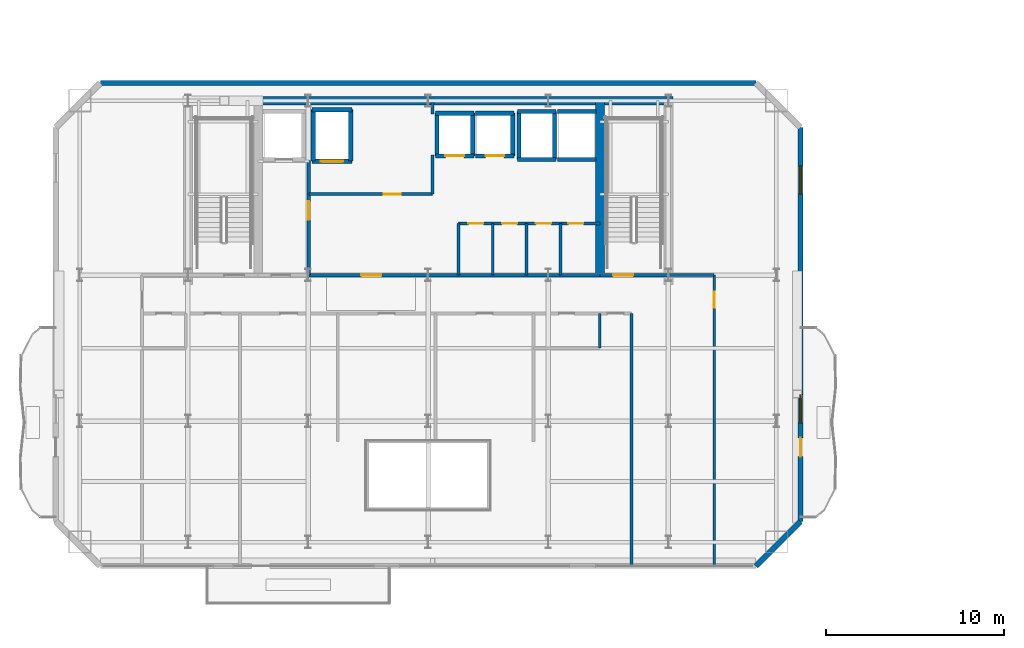
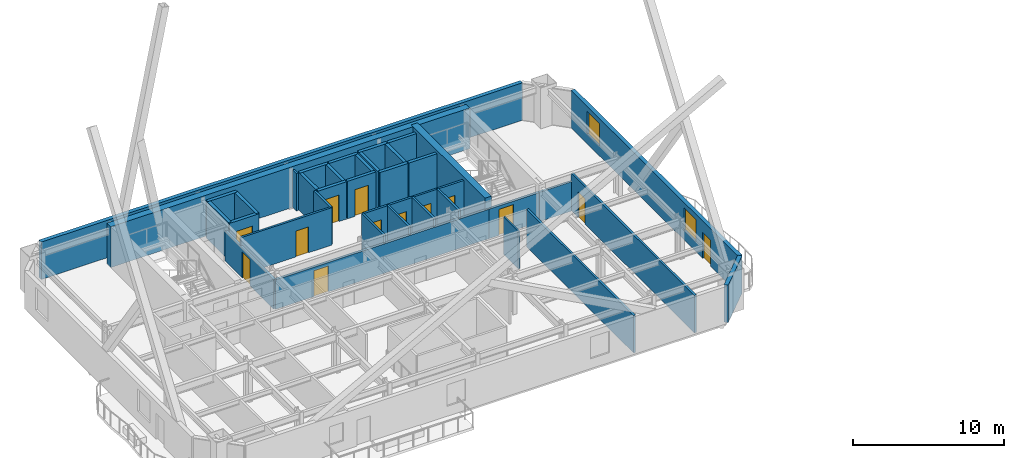
# One storey, part 11 of 19: 37 walls, 13 doors, 2 windows, 15 openings.
"""IFC4 building model written with IfcOpenShell, lengths in metres."""

from ifc_helpers import new_model, si_unit, direction, frame, frame_2d, origin, place, context, subcontext, project, spatial, rectangle, extrude, material, layer, layer_set, type_object, element, fill, save


model = new_model("IFC4")

# Units and contexts
model_context = context("Model", 3, precision=1e-05, world=origin(), true_north=direction((0.0, 1.0)))
body_context = subcontext(model_context, "Body", "Model", "MODEL_VIEW")
ifc_project = project(units=[si_unit("LENGTHUNIT", "METRE"), si_unit("AREAUNIT", "SQUARE_METRE"), si_unit("VOLUMEUNIT", "CUBIC_METRE"), si_unit("PLANEANGLEUNIT", "RADIAN"), si_unit("MASSUNIT", "GRAM", prefix="KILO")], contexts=[model_context])

# Site, building, storey
site_placement = place(None, origin())
site = spatial("IfcSite", under=ifc_project, at=site_placement, CompositionType="ELEMENT")
building_placement = place(site_placement, origin())
building = spatial("IfcBuilding", under=site, at=building_placement, Name="Haevon Station Towers", CompositionType="ELEMENT")
storey_placement = place(building_placement, frame((0.0, 0.0, 156.0)))
storey = spatial("IfcBuildingStorey", under=building, at=storey_placement, Name="L42", CompositionType="ELEMENT", Elevation=156.0)

# Wall, opening, door
ifc_material_1 = material(Name="Gypsum board on steel stud", Category="steel")
ifc_layer_1 = layer(ifc_material_1, 0.199951171875)
ifc_layer_set_1 = layer_set([ifc_layer_1], Name="Gypsum board on steel stud")
wall_type_1 = type_object("IfcWallType", Name="WL-COR200", PredefinedType="PARTITIONING", material=ifc_layer_set_1)
wall_1_placement = place(storey_placement, frame((47.14990234375, 38.199951171875, 0.0), z_axis=(0.0, 0.0, 1.0), x_axis=(1.0, 0.0, 0.0)))
wall_1 = element("IfcWall", 1, at=wall_1_placement, inside=storey, type_object=wall_type_1, Name="WL-ST-ST2-L42", PredefinedType="PARTITIONING", context=body_context, shape_type="SweptSolid", body=[
    extrude(rectangle(XDim=3.85009765625, YDim=0.199951171875, at=frame_2d((1.925048828125, 0.0))), origin(), (0.0, 0.0, 1.0), 2.3798828125),
])
opening_1_placement = place(wall_1_placement, frame((0.75, 0.0, 0.0)))
opening_1 = element("IfcOpeningElement", 2, at=opening_1_placement, cuts=wall_1, Name="Opening DR-ST-ST2-L42", PredefinedType="OPENING", context=body_context, shape_type="SweptSolid", body=[
    extrude(rectangle(XDim=1.1201171875, YDim=2.10009765625, at=frame_2d((0.56005859375, 1.050048828125))), frame((0.0, 0.10986328125, 0.0), z_axis=(0.0, -1.0, 0.0), x_axis=(1.0, 0.0, 0.0)), (0.0, 0.0, 1.0), 0.219970703125),
])
ifc_material_2 = material(Name="Engineered oak timber", Category="wood")
door_type_1 = type_object("IfcDoorType", Name="DR-ST-1120", OperationType="NOTDEFINED", PredefinedType="DOOR", material=ifc_material_2)
door_1_placement = place(opening_1_placement, origin())
door_1 = element("IfcDoor", 3, at=door_1_placement, inside=storey, type_object=door_type_1, Name="L42 Escape Stair ST2 Fire Door", OperationType="SINGLE_SWING_RIGHT", OverallHeight=2.10009765625, OverallWidth=1.1201171875, PredefinedType="DOOR", context=body_context, shape_type="SweptSolid", body=[
    extrude(rectangle(XDim=1.1201171875, YDim=2.10009765625, at=frame_2d((0.56005859375, 1.050048828125))), frame((0.0, 0.02490234375, 0.0), z_axis=(0.0, -1.0, 0.0), x_axis=(1.0, 0.0, 0.0)), (0.0, 0.0, 1.0), 0.050048828125),
])
fill(opening_1, door_1)

wall_2_placement = place(storey_placement, frame((30.800048828125, 38.199951171875, 0.0), z_axis=(0.0, 0.0, 1.0), x_axis=(0.0, 1.0, 0.0)))
wall_2 = element("IfcWall", 4, at=wall_2_placement, inside=storey, type_object=wall_type_1, Name="WL-T1FFL-L42-E", PredefinedType="PARTITIONING", context=body_context, shape_type="SweptSolid", body=[
    extrude(rectangle(XDim=6.449951171875, YDim=0.199951171875, at=frame_2d((3.22509765625, 0.0))), origin(), (0.0, 0.0, 1.0), 2.3798828125),
])
opening_2_placement = place(wall_2_placement, frame((3.10009765625, 0.0, 0.0)))
opening_2 = element("IfcOpeningElement", 5, at=opening_2_placement, cuts=wall_2, Name="Opening DR-T1FFL-L42-E", PredefinedType="OPENING", context=body_context, shape_type="SweptSolid", body=[
    extrude(rectangle(XDim=1.050048828125, YDim=2.10009765625, at=frame_2d((0.52490234375, 1.050048828125))), frame((0.0, 0.10986328125, 0.0), z_axis=(0.0, -1.0, 0.0), x_axis=(1.0, 0.0, 0.0)), (0.0, 0.0, 1.0), 0.219970703125),
])
door_type_2 = type_object("IfcDoorType", Name="DR-FD60-1050", OperationType="NOTDEFINED", PredefinedType="DOOR", material=ifc_material_2)
door_2_placement = place(opening_2_placement, origin())
door_2 = element("IfcDoor", 6, at=door_2_placement, inside=storey, type_object=door_type_2, Name="L42 Tower 1 Firefighting Lift Lobby Door E", OperationType="SINGLE_SWING_LEFT", OverallHeight=2.10009765625, OverallWidth=1.050048828125, PredefinedType="DOOR", context=body_context, shape_type="SweptSolid", body=[
    extrude(rectangle(XDim=1.050048828125, YDim=2.10009765625, at=frame_2d((0.52490234375, 1.050048828125))), frame((0.0, 0.02490234375, 0.0), z_axis=(0.0, -1.0, 0.0), x_axis=(1.0, 0.0, 0.0)), (0.0, 0.0, 1.0), 0.050048828125),
])
fill(opening_2, door_2)

wall_3_placement = place(storey_placement, frame((30.800048828125, 38.199951171875, 0.0), z_axis=(0.0, 0.0, 1.0), x_axis=(1.0, 0.0, 0.0)))
wall_3 = element("IfcWall", 7, at=wall_3_placement, inside=storey, type_object=wall_type_1, Name="WL-T1CLB-L42", PredefinedType="PARTITIONING", context=body_context, shape_type="SweptSolid", body=[
    extrude(rectangle(XDim=16.349853515625, YDim=0.199951171875, at=frame_2d((8.1748046875, 0.0))), origin(), (0.0, 0.0, 1.0), 2.3798828125),
])
opening_3_placement = place(wall_3_placement, frame((2.949951171875, 0.0, 0.0)))
opening_3 = element("IfcOpeningElement", 8, at=opening_3_placement, cuts=wall_3, Name="Opening DR-T1CLB-L42-1", PredefinedType="OPENING", context=body_context, shape_type="SweptSolid", body=[
    extrude(rectangle(XDim=1.1201171875, YDim=2.10009765625, at=frame_2d((0.56005859375, 1.050048828125))), frame((0.0, 0.10986328125, 0.0), z_axis=(0.0, -1.0, 0.0), x_axis=(1.0, 0.0, 0.0)), (0.0, 0.0, 1.0), 0.219970703125),
])
door_3_placement = place(opening_3_placement, origin())
door_3 = element("IfcDoor", 9, at=door_3_placement, inside=storey, type_object=door_type_1, Name="L42 Tower 1 Core Lift Lobby Door 1", OperationType="SINGLE_SWING_LEFT", OverallHeight=2.10009765625, OverallWidth=1.1201171875, PredefinedType="DOOR", context=body_context, shape_type="SweptSolid", body=[
    extrude(rectangle(XDim=1.1201171875, YDim=2.10009765625, at=frame_2d((0.56005859375, 1.050048828125))), frame((0.0, 0.02490234375, 0.0), z_axis=(0.0, -1.0, 0.0), x_axis=(1.0, 0.0, 0.0)), (0.0, 0.0, 1.0), 0.050048828125),
])
fill(opening_3, door_3)

# Walls
ifc_material_3 = material(Name="Concrete C60/75", Category="concrete")
ifc_layer_2 = layer(ifc_material_3, 0.5)
ifc_layer_set_2 = layer_set([ifc_layer_2], Name="Concrete C60/75")
wall_type_2 = type_object("IfcWallType", Name="WL-CR500", PredefinedType="SHEAR", material=ifc_layer_set_2)
wall_4_placement = place(storey_placement, frame((23.75, 48.0, 0.0), z_axis=(0.0, 0.0, 1.0), x_axis=(1.0, 0.0, 0.0)))
element("IfcWall", 10, at=wall_4_placement, inside=storey, type_object=wall_type_2, Name="WL-T1CR-L42-N", PredefinedType="SHEAR", context=body_context, shape_type="SweptSolid", body=[
    extrude(rectangle(XDim=27.5, YDim=0.5, at=frame_2d((13.75, 0.0))), origin(), (0.0, 0.0, 1.0), 3.300048828125),
])
wall_5_placement = place(storey_placement, frame((47.14990234375, 38.199951171875, 0.0), z_axis=(0.0, 0.0, 1.0), x_axis=(0.0, 1.0, 0.0)))
element("IfcWall", 11, at=wall_5_placement, inside=storey, type_object=wall_type_2, Name="WL-T1CR-L42-M2", PredefinedType="SHEAR", context=body_context, shape_type="SweptSolid", body=[
    extrude(rectangle(XDim=9.800048828125, YDim=0.5, at=frame_2d((4.89990234375, 0.0))), origin(), (0.0, 0.0, 1.0), 3.300048828125),
])
ifc_material_4 = material(Name="Precast concrete C45/55", Category="concrete")
ifc_layer_3 = layer(ifc_material_4, 0.300048828125)
ifc_layer_set_3 = layer_set([ifc_layer_3], Name="Precast concrete C45/55")
wall_type_3 = type_object("IfcWallType", Name="WL-EXT-PIER300", PredefinedType="SOLIDWALL", material=ifc_layer_set_3)
wall_6_placement = place(storey_placement, frame((19.074951171875, 49.0, 0.0), z_axis=(0.0, 0.0, 1.0), x_axis=(1.0, 0.0, 0.0)))
element("IfcWall", 12, at=wall_6_placement, inside=storey, type_object=wall_type_3, Name="WL-T1-L42-N", PredefinedType="SOLIDWALL", context=body_context, shape_type="SweptSolid", body=[
    extrude(rectangle(XDim=36.85009765625, YDim=0.300048828125, at=frame_2d((18.425048828125, 0.0))), origin(), (0.0, 0.0, 1.0), 3.030029296875),
])

# Wall, openings, door, windows
wall_7_placement = place(storey_placement, frame((58.425048828125, 46.5, 0.0), z_axis=(0.0, 0.0, 1.0), x_axis=(0.0, -1.0, 0.0)))
wall_7 = element("IfcWall", 13, at=wall_7_placement, inside=storey, type_object=wall_type_3, Name="WL-T1-L42-E", PredefinedType="SOLIDWALL", context=body_context, shape_type="SweptSolid", body=[
    extrude(rectangle(XDim=22.14990234375, YDim=0.300048828125, at=frame_2d((11.074951171875, 0.0))), origin(), (0.0, 0.0, 1.0), 3.030029296875),
])
opening_4_placement = place(wall_7_placement, frame((17.449951171875, 0.0, 0.0)))
opening_4 = element("IfcOpeningElement", 14, at=opening_4_placement, cuts=wall_7, Name="Opening DR-T1-SCAL-L42-E", PredefinedType="OPENING", context=body_context, shape_type="SweptSolid", body=[
    extrude(rectangle(XDim=1.050048828125, YDim=2.10009765625, at=frame_2d((0.52490234375, 1.050048828125))), frame((0.0, 0.159912109375, 0.0), z_axis=(0.0, -1.0, 0.0), x_axis=(1.0, 0.0, 0.0)), (0.0, 0.0, 1.0), 0.320068359375),
])
opening_5_placement = place(wall_7_placement, frame((2.153564453125, 0.0, 0.800048828125)))
opening_5 = element("IfcOpeningElement", 15, at=opening_5_placement, cuts=wall_7, Name="Opening WN-END160", PredefinedType="OPENING", context=body_context, shape_type="SweptSolid", body=[
    extrude(rectangle(XDim=1.60009765625, YDim=1.800048828125, at=frame_2d((0.800048828125, 0.89990234375))), frame((0.0, 0.159912109375, 0.0), z_axis=(0.0, -1.0, 0.0), x_axis=(1.0, 0.0, 0.0)), (0.0, 0.0, 1.0), 0.320068359375),
])
opening_6_placement = place(wall_7_placement, frame((15.012451171875, 0.0, 0.800048828125)))
opening_6 = element("IfcOpeningElement", 16, at=opening_6_placement, cuts=wall_7, Name="Opening WN-END160", PredefinedType="OPENING", context=body_context, shape_type="SweptSolid", body=[
    extrude(rectangle(XDim=1.60009765625, YDim=1.800048828125, at=frame_2d((0.800048828125, 0.89990234375))), frame((0.0, 0.159912109375, 0.0), z_axis=(0.0, -1.0, 0.0), x_axis=(1.0, 0.0, 0.0)), (0.0, 0.0, 1.0), 0.320068359375),
])
ifc_material_5 = material(Name="Thermally broken anodised aluminium and laminated safety glass", Category="aluminium")
door_type_3 = type_object("IfcDoorType", Name="DR-BALC-1050", OperationType="NOTDEFINED", PredefinedType="DOOR", material=ifc_material_5)
door_4_placement = place(opening_4_placement, origin())
door_4 = element("IfcDoor", 17, at=door_4_placement, inside=storey, type_object=door_type_3, Name="Tower 1 L42 East Scalloped Balcony Door", OperationType="SINGLE_SWING_RIGHT", OverallHeight=2.10009765625, OverallWidth=1.050048828125, PredefinedType="DOOR", context=body_context, shape_type="SweptSolid", body=[
    extrude(rectangle(XDim=1.050048828125, YDim=2.10009765625, at=frame_2d((0.52490234375, 1.050048828125))), frame((0.0, 0.02490234375, 0.0), z_axis=(0.0, -1.0, 0.0), x_axis=(1.0, 0.0, 0.0)), (0.0, 0.0, 1.0), 0.050048828125),
])
fill(opening_4, door_4)
ifc_material_6 = material(Name="Low-E triple glazing in thermally broken aluminium", Category="aluminium")
window_type = type_object("IfcWindowType", Name="WN-END160", PartitioningType="SINGLE_PANEL", PredefinedType="WINDOW", material=ifc_material_6)
window_1_placement = place(opening_5_placement, origin())
window_1 = element("IfcWindow", 18, at=window_1_placement, inside=storey, type_object=window_type, Name="WN-T1-L42-E01", OverallHeight=1.800048828125, OverallWidth=1.60009765625, PartitioningType="SINGLE_PANEL", PredefinedType="WINDOW", context=body_context, shape_type="SweptSolid", body=[
    extrude(rectangle(XDim=1.60009765625, YDim=1.800048828125, at=frame_2d((0.800048828125, 0.89990234375))), frame((0.0, 0.030029296875, 0.0), z_axis=(0.0, -1.0, 0.0), x_axis=(1.0, 0.0, 0.0)), (0.0, 0.0, 1.0), 0.06005859375),
])
fill(opening_5, window_1)
window_2_placement = place(opening_6_placement, origin())
window_2 = element("IfcWindow", 19, at=window_2_placement, inside=storey, type_object=window_type, Name="WN-T1-L42-E02", OverallHeight=1.800048828125, OverallWidth=1.60009765625, PartitioningType="SINGLE_PANEL", PredefinedType="WINDOW", context=body_context, shape_type="SweptSolid", body=[
    extrude(rectangle(XDim=1.60009765625, YDim=1.800048828125, at=frame_2d((0.800048828125, 0.89990234375))), frame((0.0, 0.030029296875, 0.0), z_axis=(0.0, -1.0, 0.0), x_axis=(1.0, 0.0, 0.0)), (0.0, 0.0, 1.0), 0.06005859375),
])
fill(opening_6, window_2)

# Walls
wall_8_placement = place(storey_placement, frame((58.425048828125, 24.35009765625, 0.0), z_axis=(0.0, 0.0, 1.0), x_axis=(-0.707106781187, -0.707106781187, 0.0)))
element("IfcWall", 20, at=wall_8_placement, inside=storey, type_object=wall_type_3, Name="WL-T1-L42-SEC", PredefinedType="SOLIDWALL", context=body_context, shape_type="SweptSolid", body=[
    extrude(rectangle(XDim=3.53564453125, YDim=0.300048828125, at=frame_2d((1.767822265625, 0.0))), origin(), (0.0, 0.0, 1.0), 3.030029296875),
])
ifc_layer_4 = layer(ifc_material_1, 0.125)
ifc_layer_set_4 = layer_set([ifc_layer_4], Name="Gypsum board on steel stud")
wall_type_4 = type_object("IfcWallType", Name="WL-PRT125", PredefinedType="PARTITIONING", material=ifc_layer_set_4)
wall_9_placement = place(storey_placement, frame((47.139892578125, 34.10009765625, 0.0), z_axis=(0.0, 0.0, 1.0), x_axis=(0.0, 1.0, 0.0)))
element("IfcWall", 21, at=wall_9_placement, inside=storey, type_object=wall_type_4, Name="WL-T1PT-L42-19", PredefinedType="PARTITIONING", context=body_context, shape_type="SweptSolid", body=[
    extrude(rectangle(XDim=1.949951171875, YDim=0.125, at=frame_2d((0.97509765625, 0.0))), origin(), (0.0, 0.0, 1.0), 3.030029296875),
])

# Wall, opening, door
ifc_layer_5 = layer(ifc_material_1, 0.159912109375)
ifc_layer_set_5 = layer_set([ifc_layer_5], Name="Gypsum board on steel stud")
wall_type_5 = type_object("IfcWallType", Name="WL-PRT160", PredefinedType="PARTITIONING", material=ifc_layer_set_5)
wall_10_placement = place(storey_placement, frame((30.800048828125, 42.75, 0.0), z_axis=(0.0, 0.0, 1.0), x_axis=(1.0, 0.0, 0.0)))
wall_10 = element("IfcWall", 22, at=wall_10_placement, inside=storey, type_object=wall_type_5, Name="WL-T1CW-L42-01", PredefinedType="PARTITIONING", context=body_context, shape_type="SweptSolid", body=[
    extrude(rectangle(XDim=6.949951171875, YDim=0.159912109375, at=frame_2d((3.47509765625, 0.0))), origin(), (0.0, 0.0, 1.0), 3.030029296875),
])
opening_7_placement = place(wall_10_placement, frame((4.199951171875, 0.0, 0.0)))
opening_7 = element("IfcOpeningElement", 23, at=opening_7_placement, cuts=wall_10, Name="Opening DR-WL-T1CW-L42-01-1", PredefinedType="OPENING", context=body_context, shape_type="SweptSolid", body=[
    extrude(rectangle(XDim=0.949951171875, YDim=2.10009765625, at=frame_2d((0.47509765625, 1.050048828125))), frame((0.0, 0.08984375, 0.0), z_axis=(0.0, -1.0, 0.0), x_axis=(1.0, 0.0, 0.0)), (0.0, 0.0, 1.0), 0.179931640625),
])
door_type_4 = type_object("IfcDoorType", Name="DR-FD60-950", OperationType="NOTDEFINED", PredefinedType="DOOR", material=ifc_material_2)
door_5_placement = place(opening_7_placement, origin())
door_5 = element("IfcDoor", 24, at=door_5_placement, inside=storey, type_object=door_type_4, Name="L42 Tower 1 Core Room Door 1-1", OperationType="SINGLE_SWING_LEFT", OverallHeight=2.10009765625, OverallWidth=0.949951171875, PredefinedType="DOOR", context=body_context, shape_type="SweptSolid", body=[
    extrude(rectangle(XDim=0.949951171875, YDim=2.10009765625, at=frame_2d((0.47509765625, 1.050048828125))), frame((0.0, 0.02490234375, 0.0), z_axis=(0.0, -1.0, 0.0), x_axis=(1.0, 0.0, 0.0)), (0.0, 0.0, 1.0), 0.050048828125),
])
fill(opening_7, door_5)

# Walls
wall_11_placement = place(storey_placement, frame((37.75, 42.75, 0.0), z_axis=(0.0, 0.0, 1.0), x_axis=(0.0, 1.0, 0.0)))
element("IfcWall", 25, at=wall_11_placement, inside=storey, type_object=wall_type_5, Name="WL-T1CW-L42-02", PredefinedType="PARTITIONING", context=body_context, shape_type="SweptSolid", body=[
    extrude(rectangle(XDim=2.199951171875, YDim=0.159912109375, at=frame_2d((1.10009765625, 0.0))), origin(), (0.0, 0.0, 1.0), 3.030029296875),
])
wall_12_placement = place(storey_placement, frame((37.75, 47.25, 0.0), z_axis=(0.0, 0.0, 1.0), x_axis=(0.0, 1.0, 0.0)))
element("IfcWall", 26, at=wall_12_placement, inside=storey, type_object=wall_type_5, Name="WL-T1CW-L42-03", PredefinedType="PARTITIONING", context=body_context, shape_type="SweptSolid", body=[
    extrude(rectangle(XDim=0.64990234375, YDim=0.159912109375, at=frame_2d((0.324951171875, 0.0))), origin(), (0.0, 0.0, 1.0), 3.030029296875),
])
for number, where, z_axis, x_axis, name in (
    (27, (39.199951171875, 38.199951171875, 0.0), (0.0, 0.0, 1.0), (0.0, 1.0, 0.0), "WL-T1CW-L42-04"),
    (28, (41.1298828125, 38.199951171875, 0.0), (0.0, 0.0, 1.0), (0.0, 1.0, 0.0), "WL-T1CW-L42-05"),
    (29, (43.030029296875, 38.199951171875, 0.0), (0.0, 0.0, 1.0), (0.0, 1.0, 0.0), "WL-T1CW-L42-06"),
    (30, (44.929931640625, 38.199951171875, 0.0), (0.0, 0.0, 1.0), (0.0, 1.0, 0.0), "WL-T1CW-L42-07"),
):
    element("IfcWall", number, at=place(storey_placement, frame(where, z_axis=z_axis, x_axis=x_axis)), inside=storey, type_object=wall_type_5, Name=name, PredefinedType="PARTITIONING", context=body_context, shape_type="SweptSolid", body=[
        extrude(rectangle(XDim=2.900146484375, YDim=0.159912109375, at=frame_2d((1.4501953125, 0.0))), origin(), (0.0, 0.0, 1.0), 3.030029296875),
    ])

# Wall, openings, doors
wall_13_placement = place(storey_placement, frame((39.199951171875, 41.10009765625, 0.0), z_axis=(0.0, 0.0, 1.0), x_axis=(1.0, 0.0, 0.0)))
wall_13 = element("IfcWall", 31, at=wall_13_placement, inside=storey, type_object=wall_type_5, Name="WL-T1CW-L42-08", PredefinedType="PARTITIONING", context=body_context, shape_type="SweptSolid", body=[
    extrude(rectangle(XDim=7.949951171875, YDim=0.159912109375, at=frame_2d((3.97509765625, 0.0))), origin(), (0.0, 0.0, 1.0), 3.030029296875),
])
opening_8_placement = place(wall_13_placement, frame((0.56005859375, 0.0, 0.0)))
opening_8 = element("IfcOpeningElement", 32, at=opening_8_placement, cuts=wall_13, Name="Opening DR-WL-T1CW-L42-08-1", PredefinedType="OPENING", context=body_context, shape_type="SweptSolid", body=[
    extrude(rectangle(XDim=0.85009765625, YDim=2.050048828125, at=frame_2d((0.425048828125, 1.02490234375))), frame((0.0, 0.08984375, 0.0), z_axis=(0.0, -1.0, 0.0), x_axis=(1.0, 0.0, 0.0)), (0.0, 0.0, 1.0), 0.179931640625),
])
opening_9_placement = place(wall_13_placement, frame((2.455078125, 0.0, 0.0)))
opening_9 = element("IfcOpeningElement", 33, at=opening_9_placement, cuts=wall_13, Name="Opening DR-WL-T1CW-L42-08-2", PredefinedType="OPENING", context=body_context, shape_type="SweptSolid", body=[
    extrude(rectangle(XDim=0.85009765625, YDim=2.050048828125, at=frame_2d((0.425048828125, 1.02490234375))), frame((0.0, 0.08984375, 0.0), z_axis=(0.0, -1.0, 0.0), x_axis=(1.0, 0.0, 0.0)), (0.0, 0.0, 1.0), 0.179931640625),
])
opening_10_placement = place(wall_13_placement, frame((4.35498046875, 0.0, 0.0)))
opening_10 = element("IfcOpeningElement", 34, at=opening_10_placement, cuts=wall_13, Name="Opening DR-WL-T1CW-L42-08-3", PredefinedType="OPENING", context=body_context, shape_type="SweptSolid", body=[
    extrude(rectangle(XDim=0.85009765625, YDim=2.050048828125, at=frame_2d((0.425048828125, 1.02490234375))), frame((0.0, 0.08984375, 0.0), z_axis=(0.0, -1.0, 0.0), x_axis=(1.0, 0.0, 0.0)), (0.0, 0.0, 1.0), 0.179931640625),
])
opening_11_placement = place(wall_13_placement, frame((6.179931640625, 0.0, 0.0)))
opening_11 = element("IfcOpeningElement", 35, at=opening_11_placement, cuts=wall_13, Name="Opening DR-WL-T1CW-L42-08-4", PredefinedType="OPENING", context=body_context, shape_type="SweptSolid", body=[
    extrude(rectangle(XDim=0.85009765625, YDim=2.050048828125, at=frame_2d((0.425048828125, 1.02490234375))), frame((0.0, 0.08984375, 0.0), z_axis=(0.0, -1.0, 0.0), x_axis=(1.0, 0.0, 0.0)), (0.0, 0.0, 1.0), 0.179931640625),
])
door_type_5 = type_object("IfcDoorType", Name="DR-FD30-850", OperationType="NOTDEFINED", PredefinedType="DOOR", material=ifc_material_2)
door_6_placement = place(opening_8_placement, origin())
door_6 = element("IfcDoor", 36, at=door_6_placement, inside=storey, type_object=door_type_5, Name="L42 Tower 1 Core Room Door 8-1", OperationType="SINGLE_SWING_RIGHT", OverallHeight=2.050048828125, OverallWidth=0.85009765625, PredefinedType="DOOR", context=body_context, shape_type="SweptSolid", body=[
    extrude(rectangle(XDim=0.85009765625, YDim=2.050048828125, at=frame_2d((0.425048828125, 1.02490234375))), frame((0.0, 0.02490234375, 0.0), z_axis=(0.0, -1.0, 0.0), x_axis=(1.0, 0.0, 0.0)), (0.0, 0.0, 1.0), 0.050048828125),
])
fill(opening_8, door_6)
door_7_placement = place(opening_9_placement, origin())
door_7 = element("IfcDoor", 37, at=door_7_placement, inside=storey, type_object=door_type_5, Name="L42 Tower 1 Core Room Door 8-2", OperationType="SINGLE_SWING_LEFT", OverallHeight=2.050048828125, OverallWidth=0.85009765625, PredefinedType="DOOR", context=body_context, shape_type="SweptSolid", body=[
    extrude(rectangle(XDim=0.85009765625, YDim=2.050048828125, at=frame_2d((0.425048828125, 1.02490234375))), frame((0.0, 0.02490234375, 0.0), z_axis=(0.0, -1.0, 0.0), x_axis=(1.0, 0.0, 0.0)), (0.0, 0.0, 1.0), 0.050048828125),
])
fill(opening_9, door_7)
door_8_placement = place(opening_10_placement, origin())
door_8 = element("IfcDoor", 38, at=door_8_placement, inside=storey, type_object=door_type_5, Name="L42 Tower 1 Core Room Door 8-3", OperationType="SINGLE_SWING_RIGHT", OverallHeight=2.050048828125, OverallWidth=0.85009765625, PredefinedType="DOOR", context=body_context, shape_type="SweptSolid", body=[
    extrude(rectangle(XDim=0.85009765625, YDim=2.050048828125, at=frame_2d((0.425048828125, 1.02490234375))), frame((0.0, 0.02490234375, 0.0), z_axis=(0.0, -1.0, 0.0), x_axis=(1.0, 0.0, 0.0)), (0.0, 0.0, 1.0), 0.050048828125),
])
fill(opening_10, door_8)
door_9_placement = place(opening_11_placement, origin())
door_9 = element("IfcDoor", 39, at=door_9_placement, inside=storey, type_object=door_type_5, Name="L42 Tower 1 Core Room Door 8-4", OperationType="SINGLE_SWING_LEFT", OverallHeight=2.050048828125, OverallWidth=0.85009765625, PredefinedType="DOOR", context=body_context, shape_type="SweptSolid", body=[
    extrude(rectangle(XDim=0.85009765625, YDim=2.050048828125, at=frame_2d((0.425048828125, 1.02490234375))), frame((0.0, 0.02490234375, 0.0), z_axis=(0.0, -1.0, 0.0), x_axis=(1.0, 0.0, 0.0)), (0.0, 0.0, 1.0), 0.050048828125),
])
fill(opening_11, door_9)

# Walls
wall_14_placement = place(storey_placement, frame((48.919921875, 21.85009765625, 0.0), z_axis=(0.0, 0.0, 1.0), x_axis=(0.0, 1.0, 0.0)))
element("IfcWall", 40, at=wall_14_placement, inside=storey, type_object=wall_type_5, Name="WL-T1PT-L42-01", PredefinedType="PARTITIONING", context=body_context, shape_type="SweptSolid", body=[
    extrude(rectangle(XDim=14.199951171875, YDim=0.159912109375, at=frame_2d((7.10009765625, 0.0))), origin(), (0.0, 0.0, 1.0), 3.030029296875),
])
wall_15_placement = place(storey_placement, frame((51.0, 38.199951171875, 0.0), z_axis=(0.0, 0.0, 1.0), x_axis=(1.0, 0.0, 0.0)))
element("IfcWall", 41, at=wall_15_placement, inside=storey, type_object=wall_type_5, Name="WL-T1PT-L42-03", PredefinedType="PARTITIONING", context=body_context, shape_type="SweptSolid", body=[
    extrude(rectangle(XDim=2.574951171875, YDim=0.159912109375, at=frame_2d((1.28759765625, 0.0))), origin(), (0.0, 0.0, 1.0), 2.3798828125),
])

# Wall, opening, door
wall_16_placement = place(storey_placement, frame((53.574951171875, 21.85009765625, 0.0), z_axis=(0.0, 0.0, 1.0), x_axis=(0.0, 1.0, 0.0)))
wall_16 = element("IfcWall", 42, at=wall_16_placement, inside=storey, type_object=wall_type_5, Name="WL-T1PT-L42-05", PredefinedType="PARTITIONING", context=body_context, shape_type="SweptSolid", body=[
    extrude(rectangle(XDim=16.349853515625, YDim=0.159912109375, at=frame_2d((8.1748046875, 0.0))), origin(), (0.0, 0.0, 1.0), 3.030029296875),
])
opening_12_placement = place(wall_16_placement, frame((14.52001953125, 0.0, 0.0)))
opening_12 = element("IfcOpeningElement", 43, at=opening_12_placement, cuts=wall_16, Name="Opening DR-WL-T1PT-L42-05-01", PredefinedType="OPENING", context=body_context, shape_type="SweptSolid", body=[
    extrude(rectangle(XDim=0.89990234375, YDim=2.050048828125, at=frame_2d((0.449951171875, 1.02490234375))), frame((0.0, 0.08984375, 0.0), z_axis=(0.0, -1.0, 0.0), x_axis=(1.0, 0.0, 0.0)), (0.0, 0.0, 1.0), 0.179931640625),
])
door_type_6 = type_object("IfcDoorType", Name="DR-INT-900", OperationType="NOTDEFINED", PredefinedType="DOOR", material=ifc_material_2)
door_10_placement = place(opening_12_placement, origin())
door_10 = element("IfcDoor", 44, at=door_10_placement, inside=storey, type_object=door_type_6, Name="L42 Tower 1 Room Door 5-1", OperationType="SINGLE_SWING_LEFT", OverallHeight=2.050048828125, OverallWidth=0.89990234375, PredefinedType="DOOR", context=body_context, shape_type="SweptSolid", body=[
    extrude(rectangle(XDim=0.89990234375, YDim=2.050048828125, at=frame_2d((0.449951171875, 1.02490234375))), frame((0.0, 0.02490234375, 0.0), z_axis=(0.0, -1.0, 0.0), x_axis=(1.0, 0.0, 0.0)), (0.0, 0.0, 1.0), 0.050048828125),
])
fill(opening_12, door_10)

ifc_material_7 = material(Name="Concrete C40/50", Category="concrete")
ifc_layer_6 = layer(ifc_material_7, 0.239990234375)
ifc_layer_set_6 = layer_set([ifc_layer_6], Name="Concrete C40/50")
wall_type_6 = type_object("IfcWallType", Name="WL-SHF240", PredefinedType="PARTITIONING", material=ifc_layer_set_6)
wall_17_placement = place(storey_placement, frame((30.969970703125, 44.60009765625, 0.0), z_axis=(0.0, 0.0, 1.0), x_axis=(1.0, 0.0, 0.0)))
wall_17 = element("IfcWall", 45, at=wall_17_placement, inside=storey, type_object=wall_type_6, Name="WL-SHF-SL1-L42", PredefinedType="PARTITIONING", context=body_context, shape_type="SweptSolid", body=[
    extrude(rectangle(XDim=2.260009765625, YDim=0.239990234375, at=frame_2d((1.1298828125, 0.0))), origin(), (0.0, 0.0, 1.0), 3.030029296875),
])
opening_13_placement = place(wall_17_placement, frame((0.5048828125, 0.0, 0.0)))
opening_13 = element("IfcOpeningElement", 46, at=opening_13_placement, cuts=wall_17, Name="Opening LD-SL1-L42", PredefinedType="OPENING", context=body_context, shape_type="SweptSolid", body=[
    extrude(rectangle(XDim=1.25, YDim=2.199951171875, at=frame_2d((0.625, 1.10009765625))), frame((0.0, 0.1298828125, 0.0), z_axis=(0.0, -1.0, 0.0), x_axis=(1.0, 0.0, 0.0)), (0.0, 0.0, 1.0), 0.260009765625),
])
ifc_material_8 = material(Name="Stainless steel and rated core", Category="steel")
door_type_7 = type_object("IfcDoorType", Name="LD-SL1250", OperationType="SLIDING_TO_LEFT", PredefinedType="DOOR", material=ifc_material_8)
door_11_placement = place(opening_13_placement, origin())
door_11 = element("IfcDoor", 47, at=door_11_placement, inside=storey, type_object=door_type_7, Name="L42 Lift SL1 Sliding Landing Door", OperationType="SLIDING_TO_LEFT", OverallHeight=2.199951171875, OverallWidth=1.25, PredefinedType="DOOR", context=body_context, shape_type="SweptSolid", body=[
    extrude(rectangle(XDim=1.25, YDim=2.199951171875, at=frame_2d((0.625, 1.10009765625))), frame((0.0, 0.02490234375, 0.0), z_axis=(0.0, -1.0, 0.0), x_axis=(1.0, 0.0, 0.0)), (0.0, 0.0, 1.0), 0.050048828125),
])
fill(opening_13, door_11)

# Walls
wall_18_placement = place(storey_placement, frame((30.969970703125, 47.5, 0.0), z_axis=(0.0, 0.0, 1.0), x_axis=(1.0, 0.0, 0.0)))
element("IfcWall", 48, at=wall_18_placement, inside=storey, type_object=wall_type_6, Name="WL-SHF-SL1-L42-N", PredefinedType="PARTITIONING", context=body_context, shape_type="SweptSolid", body=[
    extrude(rectangle(XDim=2.260009765625, YDim=0.239990234375, at=frame_2d((1.1298828125, 0.0))), origin(), (0.0, 0.0, 1.0), 3.030029296875),
])
for number, where, z_axis, x_axis, name in (
    (49, (31.050048828125, 44.60009765625, 0.0), (0.0, 0.0, 1.0), (0.0, 1.0, 0.0), "WL-SHF-SL1-L42-W"),
    (50, (33.14990234375, 44.60009765625, 0.0), (0.0, 0.0, 1.0), (0.0, 1.0, 0.0), "WL-SHF-SL1-L42-E"),
):
    element("IfcWall", number, at=place(storey_placement, frame(where, z_axis=z_axis, x_axis=x_axis)), inside=storey, type_object=wall_type_6, Name=name, PredefinedType="PARTITIONING", context=body_context, shape_type="SweptSolid", body=[
        extrude(rectangle(XDim=2.89990234375, YDim=0.239990234375, at=frame_2d((1.449951171875, 0.0))), origin(), (0.0, 0.0, 1.0), 3.030029296875),
    ])

# Wall, opening, door
wall_19_placement = place(storey_placement, frame((37.919921875, 44.89990234375, 0.0), z_axis=(0.0, 0.0, 1.0), x_axis=(1.0, 0.0, 0.0)))
wall_19 = element("IfcWall", 51, at=wall_19_placement, inside=storey, type_object=wall_type_6, Name="WL-SHF-PL3-L42", PredefinedType="PARTITIONING", context=body_context, shape_type="SweptSolid", body=[
    extrude(rectangle(XDim=2.16015625, YDim=0.239990234375, at=frame_2d((1.080078125, 0.0))), origin(), (0.0, 0.0, 1.0), 3.030029296875),
])
opening_14_placement = place(wall_19_placement, frame((0.554931640625, 0.0, 0.0)))
opening_14 = element("IfcOpeningElement", 52, at=opening_14_placement, cuts=wall_19, Name="Opening LD-PL3-L42", PredefinedType="OPENING", context=body_context, shape_type="SweptSolid", body=[
    extrude(rectangle(XDim=1.050048828125, YDim=2.14990234375, at=frame_2d((0.52490234375, 1.074951171875))), frame((0.0, 0.1298828125, 0.0), z_axis=(0.0, -1.0, 0.0), x_axis=(1.0, 0.0, 0.0)), (0.0, 0.0, 1.0), 0.260009765625),
])
door_type_8 = type_object("IfcDoorType", Name="LD-PL1050", OperationType="SLIDING_TO_LEFT", PredefinedType="DOOR", material=ifc_material_8)
door_12_placement = place(opening_14_placement, origin())
door_12 = element("IfcDoor", 53, at=door_12_placement, inside=storey, type_object=door_type_8, Name="L42 Lift PL3 Sliding Landing Door", OperationType="SLIDING_TO_LEFT", OverallHeight=2.14990234375, OverallWidth=1.050048828125, PredefinedType="DOOR", context=body_context, shape_type="SweptSolid", body=[
    extrude(rectangle(XDim=1.050048828125, YDim=2.14990234375, at=frame_2d((0.52490234375, 1.074951171875))), frame((0.0, 0.02490234375, 0.0), z_axis=(0.0, -1.0, 0.0), x_axis=(1.0, 0.0, 0.0)), (0.0, 0.0, 1.0), 0.050048828125),
])
fill(opening_14, door_12)

# Walls
wall_20_placement = place(storey_placement, frame((37.919921875, 47.300048828125, 0.0), z_axis=(0.0, 0.0, 1.0), x_axis=(1.0, 0.0, 0.0)))
element("IfcWall", 54, at=wall_20_placement, inside=storey, type_object=wall_type_6, Name="WL-SHF-PL3-L42-N", PredefinedType="PARTITIONING", context=body_context, shape_type="SweptSolid", body=[
    extrude(rectangle(XDim=2.16015625, YDim=0.239990234375, at=frame_2d((1.080078125, 0.0))), origin(), (0.0, 0.0, 1.0), 3.030029296875),
])
for number, where, z_axis, x_axis, name in (
    (55, (38.0, 44.89990234375, 0.0), (0.0, 0.0, 1.0), (0.0, 1.0, 0.0), "WL-SHF-PL3-L42-W"),
    (56, (40.0, 44.89990234375, 0.0), (0.0, 0.0, 1.0), (0.0, 1.0, 0.0), "WL-SHF-PL3-L42-E"),
):
    element("IfcWall", number, at=place(storey_placement, frame(where, z_axis=z_axis, x_axis=x_axis)), inside=storey, type_object=wall_type_6, Name=name, PredefinedType="PARTITIONING", context=body_context, shape_type="SweptSolid", body=[
        extrude(rectangle(XDim=2.400146484375, YDim=0.239990234375, at=frame_2d((1.2001953125, 0.0))), origin(), (0.0, 0.0, 1.0), 3.030029296875),
    ])

# Wall, opening, door
wall_21_placement = place(storey_placement, frame((40.169921875, 44.89990234375, 0.0), z_axis=(0.0, 0.0, 1.0), x_axis=(1.0, 0.0, 0.0)))
wall_21 = element("IfcWall", 57, at=wall_21_placement, inside=storey, type_object=wall_type_6, Name="WL-SHF-PL4-L42", PredefinedType="PARTITIONING", context=body_context, shape_type="SweptSolid", body=[
    extrude(rectangle(XDim=2.16015625, YDim=0.239990234375, at=frame_2d((1.080078125, 0.0))), origin(), (0.0, 0.0, 1.0), 3.030029296875),
])
opening_15_placement = place(wall_21_placement, frame((0.554931640625, 0.0, 0.0)))
opening_15 = element("IfcOpeningElement", 58, at=opening_15_placement, cuts=wall_21, Name="Opening LD-PL4-L42", PredefinedType="OPENING", context=body_context, shape_type="SweptSolid", body=[
    extrude(rectangle(XDim=1.050048828125, YDim=2.14990234375, at=frame_2d((0.52490234375, 1.074951171875))), frame((0.0, 0.1298828125, 0.0), z_axis=(0.0, -1.0, 0.0), x_axis=(1.0, 0.0, 0.0)), (0.0, 0.0, 1.0), 0.260009765625),
])
door_13_placement = place(opening_15_placement, origin())
door_13 = element("IfcDoor", 59, at=door_13_placement, inside=storey, type_object=door_type_8, Name="L42 Lift PL4 Sliding Landing Door", OperationType="SLIDING_TO_LEFT", OverallHeight=2.14990234375, OverallWidth=1.050048828125, PredefinedType="DOOR", context=body_context, shape_type="SweptSolid", body=[
    extrude(rectangle(XDim=1.050048828125, YDim=2.14990234375, at=frame_2d((0.52490234375, 1.074951171875))), frame((0.0, 0.02490234375, 0.0), z_axis=(0.0, -1.0, 0.0), x_axis=(1.0, 0.0, 0.0)), (0.0, 0.0, 1.0), 0.050048828125),
])
fill(opening_15, door_13)

# Walls
wall_22_placement = place(storey_placement, frame((40.169921875, 47.300048828125, 0.0), z_axis=(0.0, 0.0, 1.0), x_axis=(1.0, 0.0, 0.0)))
element("IfcWall", 60, at=wall_22_placement, inside=storey, type_object=wall_type_6, Name="WL-SHF-PL4-L42-N", PredefinedType="PARTITIONING", context=body_context, shape_type="SweptSolid", body=[
    extrude(rectangle(XDim=2.16015625, YDim=0.239990234375, at=frame_2d((1.080078125, 0.0))), origin(), (0.0, 0.0, 1.0), 3.030029296875),
])
wall_23_placement = place(storey_placement, frame((42.25, 44.89990234375, 0.0), z_axis=(0.0, 0.0, 1.0), x_axis=(0.0, 1.0, 0.0)))
element("IfcWall", 61, at=wall_23_placement, inside=storey, type_object=wall_type_6, Name="WL-SHF-PL4-L42-E", PredefinedType="PARTITIONING", context=body_context, shape_type="SweptSolid", body=[
    extrude(rectangle(XDim=2.400146484375, YDim=0.239990234375, at=frame_2d((1.2001953125, 0.0))), origin(), (0.0, 0.0, 1.0), 3.030029296875),
])
for number, where, z_axis, x_axis, name in (
    (62, (42.52001953125, 44.699951171875, 0.0), (0.0, 0.0, 1.0), (1.0, 0.0, 0.0), "WL-SHF-PL5-L42"),
    (63, (42.52001953125, 47.39990234375, 0.0), (0.0, 0.0, 1.0), (1.0, 0.0, 0.0), "WL-SHF-PL5-L42-N"),
):
    element("IfcWall", number, at=place(storey_placement, frame(where, z_axis=z_axis, x_axis=x_axis)), inside=storey, type_object=wall_type_6, Name=name, PredefinedType="PARTITIONING", context=body_context, shape_type="SweptSolid", body=[
        extrude(rectangle(XDim=2.159912109375, YDim=0.239990234375, at=frame_2d((1.080078125, 0.0))), origin(), (0.0, 0.0, 1.0), 3.030029296875),
    ])
for number, where, z_axis, x_axis, name in (
    (64, (42.60009765625, 44.699951171875, 0.0), (0.0, 0.0, 1.0), (0.0, 1.0, 0.0), "WL-SHF-PL5-L42-W"),
    (65, (44.60009765625, 44.699951171875, 0.0), (0.0, 0.0, 1.0), (0.0, 1.0, 0.0), "WL-SHF-PL5-L42-E"),
):
    element("IfcWall", number, at=place(storey_placement, frame(where, z_axis=z_axis, x_axis=x_axis)), inside=storey, type_object=wall_type_6, Name=name, PredefinedType="PARTITIONING", context=body_context, shape_type="SweptSolid", body=[
        extrude(rectangle(XDim=2.699951171875, YDim=0.239990234375, at=frame_2d((1.35009765625, 0.0))), origin(), (0.0, 0.0, 1.0), 3.030029296875),
    ])
for number, where, z_axis, x_axis, name in (
    (66, (44.77001953125, 44.699951171875, 0.0), (0.0, 0.0, 1.0), (1.0, 0.0, 0.0), "WL-SHF-PL6-L42"),
    (67, (44.77001953125, 47.39990234375, 0.0), (0.0, 0.0, 1.0), (1.0, 0.0, 0.0), "WL-SHF-PL6-L42-N"),
):
    element("IfcWall", number, at=place(storey_placement, frame(where, z_axis=z_axis, x_axis=x_axis)), inside=storey, type_object=wall_type_6, Name=name, PredefinedType="PARTITIONING", context=body_context, shape_type="SweptSolid", body=[
        extrude(rectangle(XDim=2.159912109375, YDim=0.239990234375, at=frame_2d((1.080078125, 0.0))), origin(), (0.0, 0.0, 1.0), 3.030029296875),
    ])

save(model, "model.ifc")
